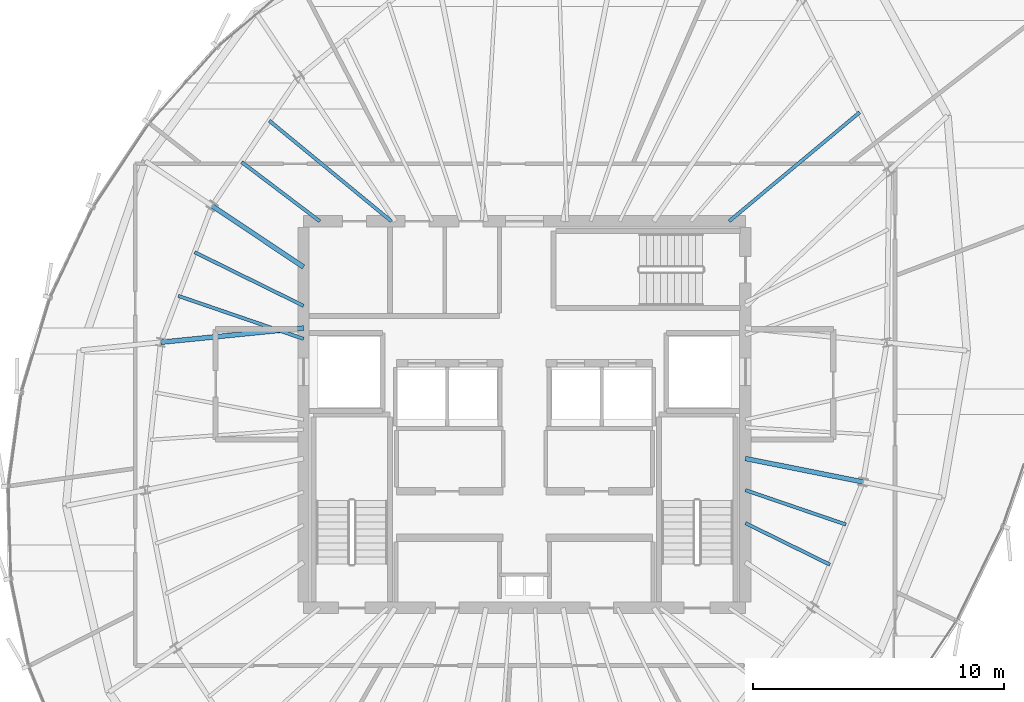
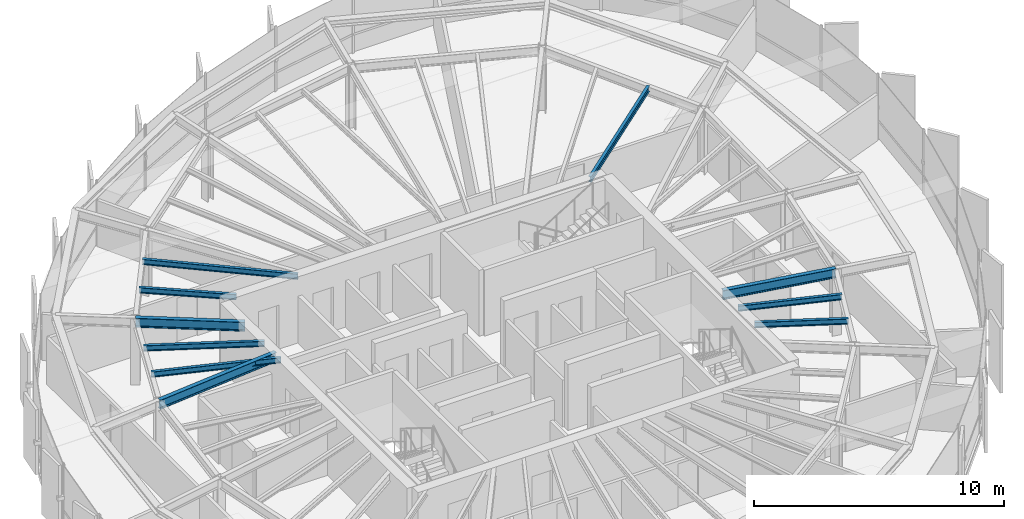
# One storey, part 12 of 35: 10 beams.
"""IFC4 building model written with IfcOpenShell, lengths in metres."""

from ifc_helpers import new_model, si_unit, direction, frame, origin, origin_2d, place, context, subcontext, project, spatial, i_section, extrude, source, transform, mapped, material, material_profile, profile_set, type_object, element, save


model = new_model("IFC4")

# Units and contexts
model_context = context("Model", 3, precision=1e-05, world=origin(), true_north=direction((0.0, 1.0)))
body_context = subcontext(model_context, "Body", "Model", "MODEL_VIEW")
ifc_project = project(units=[si_unit("LENGTHUNIT", "METRE"), si_unit("AREAUNIT", "SQUARE_METRE"), si_unit("VOLUMEUNIT", "CUBIC_METRE"), si_unit("PLANEANGLEUNIT", "RADIAN"), si_unit("MASSUNIT", "GRAM", prefix="KILO"), si_unit("THERMODYNAMICTEMPERATUREUNIT", "KELVIN")], contexts=[model_context])

# Site, building, storey
site_placement = place(None, origin())
site = spatial("IfcSite", under=ifc_project, at=site_placement, CompositionType="ELEMENT")
building_placement = place(site_placement, origin())
building = spatial("IfcBuilding", under=site, at=building_placement, Name="Kethvar Cultural Tower", CompositionType="ELEMENT")
storey_placement = place(building_placement, frame((0.0, 0.0, 245.64990234375)))
storey = spatial("IfcBuildingStorey", under=building, at=storey_placement, Name="L64", CompositionType="ELEMENT", Elevation=245.64990234375)

# Beams
ifc_material = material(Name="Steel S355J2", Category="steel")
ifc_material_profile_1 = material_profile(ifc_material, i_section(OverallWidth=0.18994140625, OverallDepth=0.449951171875, WebThickness=0.009521484375, FlangeThickness=0.0146484375, FilletRadius=0.02099609375, at=origin_2d()), Name="Steel S355J2 — IPE450")
ifc_profile_set_1 = profile_set([ifc_material_profile_1], Name="Steel S355J2 — IPE450")
beam_type_1 = type_object("IfcBeamType", Name="BM-IPE450", PredefinedType="BEAM", material=ifc_profile_set_1)
shared_shape_1 = source(origin(), body_context, "Body", "SweptSolid", [
    extrude(i_section(OverallWidth=0.18994140625, OverallDepth=0.449951171875, WebThickness=0.009521484375, FlangeThickness=0.0146484375, FilletRadius=0.02099609375, at=origin_2d()), origin(), (0.0, 0.0, 1.0), 4.3828125),
])
beam_1_placement = place(storey_placement, frame((38.0, 33.679931640625, 2.983154296875), z_axis=(-0.831449909861, 0.555599718676, 0.0), x_axis=(-0.555599718676, -0.831449909861, 0.0)))
element("IfcBeam", 1, at=beam_1_placement, inside=storey, type_object=beam_type_1, Name="L64 Primary Radial Beam RB-07", PredefinedType="BEAM", context=body_context, shape_type="MappedRepresentation", body=[
    mapped(shared_shape_1, transform((0.0, 0.0, 0.0), scale=1.0)),
])
shared_shape_2 = source(origin(), body_context, "Body", "SweptSolid", [
    extrude(i_section(OverallWidth=0.18994140625, OverallDepth=0.449951171875, WebThickness=0.009521484375, FlangeThickness=0.0146484375, FilletRadius=0.02099609375, at=origin_2d()), origin(), (0.0, 0.0, 1.0), 5.7158203125),
])
beam_2_placement = place(storey_placement, frame((38.0, 31.25, 2.983154296875), z_axis=(-0.995048179628, -0.099393763478, 0.0), x_axis=(0.099393763478, -0.995048179628, 0.0)))
element("IfcBeam", 2, at=beam_2_placement, inside=storey, type_object=beam_type_1, Name="L64 Primary Radial Beam RB-08", PredefinedType="BEAM", context=body_context, shape_type="MappedRepresentation", body=[
    mapped(shared_shape_2, transform((0.0, 0.0, 0.0), scale=1.0)),
])
shared_shape_3 = source(origin(), body_context, "Body", "SweptSolid", [
    extrude(i_section(OverallWidth=0.18994140625, OverallDepth=0.449951171875, WebThickness=0.009521484375, FlangeThickness=0.0146484375, FilletRadius=0.02099609375, at=origin_2d()), origin(), (0.0, 0.0, 1.0), 4.775390625),
])
beam_3_placement = place(storey_placement, frame((55.60009765625, 26.049560546875, 2.983154296875), z_axis=(0.980784643133, -0.195093525761, 0.0), x_axis=(0.195093525761, 0.980784643133, 0.0)))
element("IfcBeam", 3, at=beam_3_placement, inside=storey, type_object=beam_type_1, Name="L64 Primary Radial Beam RB-16", PredefinedType="BEAM", context=body_context, shape_type="MappedRepresentation", body=[
    mapped(shared_shape_3, transform((0.0, 0.0, 0.0), scale=1.0)),
])
ifc_material_profile_2 = material_profile(ifc_material, i_section(OverallWidth=0.135009765625, OverallDepth=0.27001953125, WebThickness=0.006591796875, FlangeThickness=0.01025390625, FilletRadius=0.014892578125, at=origin_2d()), Name="Steel S355J2 — IPE270")
ifc_profile_set_2 = profile_set([ifc_material_profile_2], Name="Steel S355J2 — IPE270")
beam_type_2 = type_object("IfcBeamType", Name="BM-J270", PredefinedType="JOIST", material=ifc_profile_set_2)
shared_shape_4 = source(origin(), body_context, "Body", "SweptSolid", [
    extrude(i_section(OverallWidth=0.135009765625, OverallDepth=0.27001953125, WebThickness=0.006591796875, FlangeThickness=0.01025390625, FilletRadius=0.014892578125, at=origin_2d()), origin(), (0.0, 0.0, 1.0), 6.776123046875),
])
beam_4_placement = place(storey_placement, frame((54.949951171875, 35.5, 3.072998046875), z_axis=(0.767801747857, 0.6406875026, 0.0), x_axis=(-0.6406875026, 0.767801747857, 0.0)))
element("IfcBeam", 4, at=beam_4_placement, inside=storey, type_object=beam_type_2, Name="L64 Composite Floor Joist J-02A", PredefinedType="JOIST", context=body_context, shape_type="MappedRepresentation", body=[
    mapped(shared_shape_4, transform((0.0, 0.0, 0.0), scale=1.0)),
])
shared_shape_5 = source(origin(), body_context, "Body", "SweptSolid", [
    extrude(i_section(OverallWidth=0.135009765625, OverallDepth=0.27001953125, WebThickness=0.006591796875, FlangeThickness=0.01025390625, FilletRadius=0.014892578125, at=origin_2d()), origin(), (0.0, 0.0, 1.0), 6.302978515625),
])
beam_5_placement = place(storey_placement, frame((41.5, 35.5, 3.072998046875), z_axis=(-0.771828477148, 0.635830796567, 0.0), x_axis=(-0.635830796567, -0.771828477148, 0.0)))
element("IfcBeam", 5, at=beam_5_placement, inside=storey, type_object=beam_type_2, Name="L64 Composite Floor Joist J-06A", PredefinedType="JOIST", context=body_context, shape_type="MappedRepresentation", body=[
    mapped(shared_shape_5, transform((0.0, 0.0, 0.0), scale=1.0)),
])
shared_shape_6 = source(origin(), body_context, "Body", "SweptSolid", [
    extrude(i_section(OverallWidth=0.135009765625, OverallDepth=0.27001953125, WebThickness=0.006591796875, FlangeThickness=0.01025390625, FilletRadius=0.014892578125, at=origin_2d()), origin(), (0.0, 0.0, 1.0), 3.91357421875),
])
beam_6_placement = place(storey_placement, frame((38.64990234375, 35.5, 3.072998046875), z_axis=(-0.797214062325, 0.603696727531, 0.0), x_axis=(-0.603696727531, -0.797214062325, 0.0)))
element("IfcBeam", 6, at=beam_6_placement, inside=storey, type_object=beam_type_2, Name="L64 Composite Floor Joist J-06B", PredefinedType="JOIST", context=body_context, shape_type="MappedRepresentation", body=[
    mapped(shared_shape_6, transform((0.0, 0.0, 0.0), scale=1.0)),
])
shared_shape_7 = source(origin(), body_context, "Body", "SweptSolid", [
    extrude(i_section(OverallWidth=0.135009765625, OverallDepth=0.27001953125, WebThickness=0.006591796875, FlangeThickness=0.01025390625, FilletRadius=0.014892578125, at=origin_2d()), origin(), (0.0, 0.0, 1.0), 4.8359375),
])
beam_7_placement = place(storey_placement, frame((38.0, 32.1318359375, 3.072998046875), z_axis=(-0.897196527088, 0.441631511308, 0.0), x_axis=(-0.441631511308, -0.897196527088, 0.0)))
element("IfcBeam", 7, at=beam_7_placement, inside=storey, type_object=beam_type_2, Name="L64 Composite Floor Joist J-07A", PredefinedType="JOIST", context=body_context, shape_type="MappedRepresentation", body=[
    mapped(shared_shape_7, transform((0.0, 0.0, 0.0), scale=1.0)),
])
shared_shape_8 = source(origin(), body_context, "Body", "SweptSolid", [
    extrude(i_section(OverallWidth=0.135009765625, OverallDepth=0.27001953125, WebThickness=0.006591796875, FlangeThickness=0.01025390625, FilletRadius=0.014892578125, at=origin_2d()), origin(), (0.0, 0.0, 1.0), 5.2783203125),
])
beam_8_placement = place(storey_placement, frame((38.0, 30.817138671875, 3.072998046875), z_axis=(-0.945942702368, 0.324333784607, 0.0), x_axis=(-0.324333784607, -0.945942702368, 0.0)))
element("IfcBeam", 8, at=beam_8_placement, inside=storey, type_object=beam_type_2, Name="L64 Composite Floor Joist J-07B", PredefinedType="JOIST", context=body_context, shape_type="MappedRepresentation", body=[
    mapped(shared_shape_8, transform((0.0, 0.0, 0.0), scale=1.0)),
])
shared_shape_9 = source(origin(), body_context, "Body", "SweptSolid", [
    extrude(i_section(OverallWidth=0.135009765625, OverallDepth=0.27001953125, WebThickness=0.006591796875, FlangeThickness=0.01025390625, FilletRadius=0.014892578125, at=origin_2d()), origin(), (0.0, 0.0, 1.0), 3.75),
])
beam_9_placement = place(storey_placement, frame((55.60009765625, 23.476318359375, 3.072998046875), z_axis=(0.8975046019, -0.441005090184, 0.0), x_axis=(0.441005090184, 0.8975046019, 0.0)))
element("IfcBeam", 9, at=beam_9_placement, inside=storey, type_object=beam_type_2, Name="L64 Composite Floor Joist J-15A", PredefinedType="JOIST", context=body_context, shape_type="MappedRepresentation", body=[
    mapped(shared_shape_9, transform((0.0, 0.0, 0.0), scale=1.0)),
])
shared_shape_10 = source(origin(), body_context, "Body", "SweptSolid", [
    extrude(i_section(OverallWidth=0.135009765625, OverallDepth=0.27001953125, WebThickness=0.006591796875, FlangeThickness=0.01025390625, FilletRadius=0.014892578125, at=origin_2d()), origin(), (0.0, 0.0, 1.0), 4.232421875),
])
beam_10_placement = place(storey_placement, frame((55.60009765625, 24.7900390625, 3.072998046875), z_axis=(0.946173747357, -0.323659141402, 0.0), x_axis=(0.323659141402, 0.946173747357, 0.0)))
element("IfcBeam", 10, at=beam_10_placement, inside=storey, type_object=beam_type_2, Name="L64 Composite Floor Joist J-15B", PredefinedType="JOIST", context=body_context, shape_type="MappedRepresentation", body=[
    mapped(shared_shape_10, transform((0.0, 0.0, 0.0), scale=1.0)),
])

save(model, "model.ifc")
